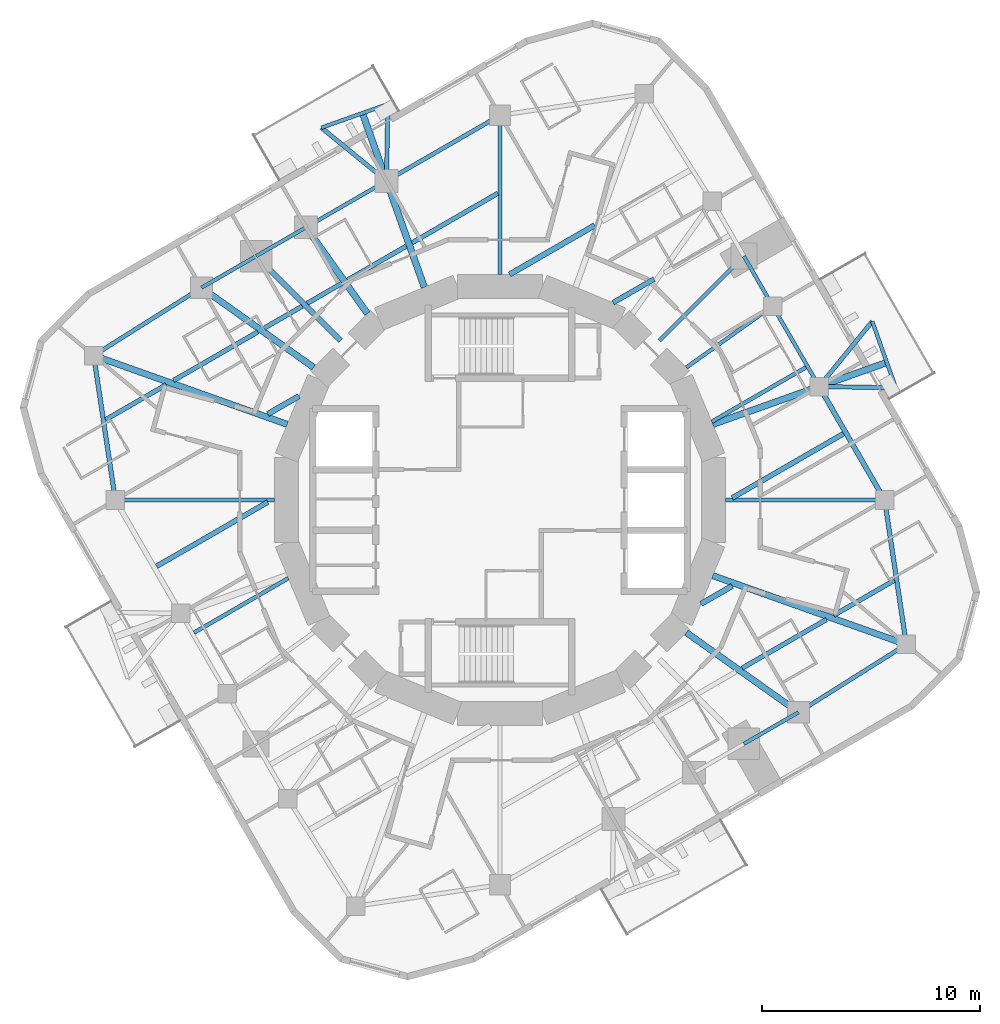
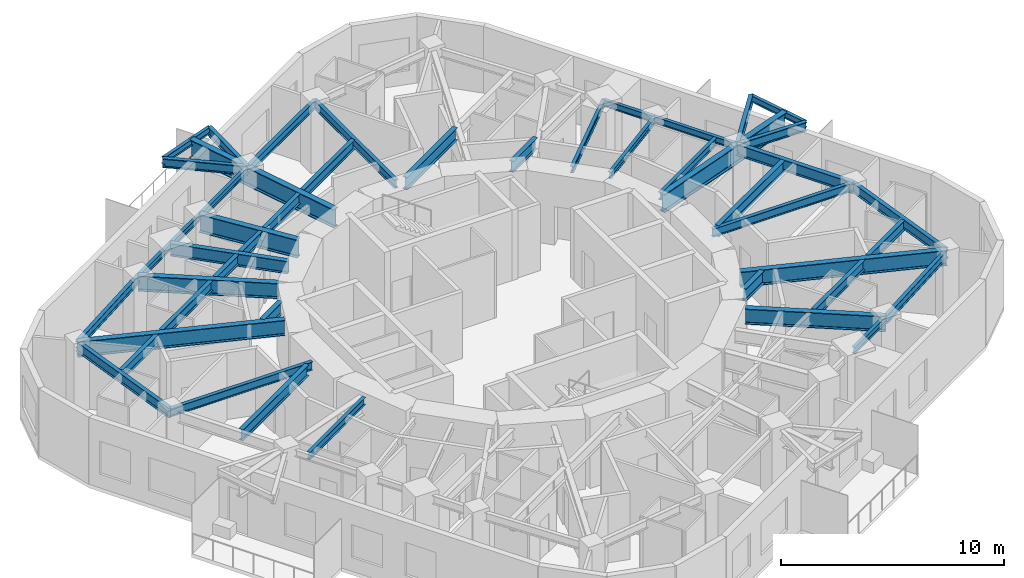
# One storey, part 2 of 11: 47 beams.
"""IFC4 building model written with IfcOpenShell, lengths in metres."""

from ifc_helpers import new_model, si_unit, direction, frame, origin, origin_2d, place, context, subcontext, project, spatial, i_section, extrude, material, material_profile, profile_set, type_object, element, save


model = new_model("IFC4")

# Units and contexts
model_context = context("Model", 3, precision=1e-05, world=origin(), true_north=direction((0.0, 1.0)))
body_context = subcontext(model_context, "Body", "Model", "MODEL_VIEW")
ifc_project = project(units=[si_unit("LENGTHUNIT", "METRE"), si_unit("AREAUNIT", "SQUARE_METRE"), si_unit("VOLUMEUNIT", "CUBIC_METRE"), si_unit("PLANEANGLEUNIT", "RADIAN"), si_unit("MASSUNIT", "GRAM", prefix="KILO")], contexts=[model_context])

# Site, building, storey
site_placement = place(None, origin())
site = spatial("IfcSite", under=ifc_project, at=site_placement, CompositionType="ELEMENT")
building_placement = place(site_placement, origin())
building = spatial("IfcBuilding", under=site, at=building_placement, Name="Nakasero Lantern House", CompositionType="ELEMENT")
storey_placement = place(building_placement, frame((0.0, 0.0, 238.5)))
storey = spatial("IfcBuildingStorey", under=building, at=storey_placement, Name="L58", CompositionType="ELEMENT", Elevation=238.5)

# Beams
ifc_material_1 = material(Name="Steel S355", Category="steel")
ifc_material_profile_1 = material_profile(ifc_material_1, i_section(OverallWidth=0.199462890625, OverallDepth=0.491943359375, WebThickness=0.01806640625, FlangeThickness=0.031982421875, FilletRadius=0.01025390625, at=origin_2d()), Name="UB 457x191x161")
ifc_profile_set_1 = profile_set([ifc_material_profile_1], Name="Steel S355")
beam_type_1 = type_object("IfcBeamType", Name="Balcony splay beam UB 457x191x161", PredefinedType="BEAM", material=ifc_profile_set_1)
beam_1_placement = place(storey_placement, frame((14.657958984375, 5.211669921875, 3.404052734375), z_axis=(0.632127727159, 0.774864205236, 0.0), x_axis=(-0.774864205236, 0.632127727159, 0.0)))
element("IfcBeam", 1, at=beam_1_placement, inside=storey, type_object=beam_type_1, Name="Balcony splay beam L59 B6-C04A", PredefinedType="BEAM", context=body_context, shape_type="SweptSolid", body=[
    extrude(i_section(OverallWidth=0.199462890625, OverallDepth=0.491943359375, WebThickness=0.01806640625, FlangeThickness=0.031982421875, FilletRadius=0.01025390625, at=origin_2d()), origin(), (0.0, 0.0, 1.0), 3.858642578125),
])
beam_2_placement = place(storey_placement, frame((14.657958984375, 5.211669921875, 3.404052734375), z_axis=(0.99985827803, -0.016835196893, 0.0), x_axis=(0.016835196893, 0.99985827803, 0.0)))
element("IfcBeam", 2, at=beam_2_placement, inside=storey, type_object=beam_type_1, Name="Balcony splay beam L59 B6-C04B", PredefinedType="BEAM", context=body_context, shape_type="SweptSolid", body=[
    extrude(i_section(OverallWidth=0.199462890625, OverallDepth=0.491943359375, WebThickness=0.01806640625, FlangeThickness=0.031982421875, FilletRadius=0.01025390625, at=origin_2d()), origin(), (0.0, 0.0, 1.0), 3.52392578125),
])
beam_3_placement = place(storey_placement, frame((-5.211669921875, 14.657958984375, 3.404052734375), z_axis=(-0.774864205236, 0.632127727159, 0.0), x_axis=(-0.632127727159, -0.774864205236, 0.0)))
element("IfcBeam", 3, at=beam_3_placement, inside=storey, type_object=beam_type_1, Name="Balcony splay beam L59 B6-C10A", PredefinedType="BEAM", context=body_context, shape_type="SweptSolid", body=[
    extrude(i_section(OverallWidth=0.199462890625, OverallDepth=0.491943359375, WebThickness=0.01806640625, FlangeThickness=0.031982421875, FilletRadius=0.01025390625, at=origin_2d()), origin(), (0.0, 0.0, 1.0), 3.858642578125),
])
beam_4_placement = place(storey_placement, frame((-5.211669921875, 14.657958984375, 3.404052734375), z_axis=(0.016835196893, 0.99985827803, 0.0), x_axis=(-0.99985827803, 0.016835196893, 0.0)))
element("IfcBeam", 4, at=beam_4_placement, inside=storey, type_object=beam_type_1, Name="Balcony splay beam L59 B6-C10B", PredefinedType="BEAM", context=body_context, shape_type="SweptSolid", body=[
    extrude(i_section(OverallWidth=0.199462890625, OverallDepth=0.491943359375, WebThickness=0.01806640625, FlangeThickness=0.031982421875, FilletRadius=0.01025390625, at=origin_2d()), origin(), (0.0, 0.0, 1.0), 3.52392578125),
])
ifc_material_2 = material(Name="Steel S355", Category="steel")
ifc_material_profile_2 = material_profile(ifc_material_2, i_section(OverallWidth=0.17138671875, OverallDepth=0.35498046875, WebThickness=0.00732421875, FlangeThickness=0.011474609375, FilletRadius=0.01025390625, at=origin_2d()), Name="UB 356x171x51")
ifc_profile_set_2 = profile_set([ifc_material_profile_2], Name="Steel S355")
beam_type_2 = type_object("IfcBeamType", Name="Balcony tie beam UB 356x171x51", PredefinedType="BEAM", material=ifc_profile_set_2)
for number, where, z_axis, x_axis, name in (
    (5, (17.09716796875, 8.20166015625, 3.472412109375), (0.335017108852, -0.942212044487, 0.0), (0.942212044487, 0.335017108852, 0.0), "Balcony tie beam L59 B6-C04"),
    (6, (-8.20166015625, 17.09716796875, 3.472412109375), (0.942212044487, 0.335017108852, 0.0), (-0.335017108852, 0.942212044487, 0.0), "Balcony tie beam L59 B6-C10"),
):
    element("IfcBeam", number, at=place(storey_placement, frame(where, z_axis=z_axis, x_axis=x_axis)), inside=storey, type_object=beam_type_2, Name=name, PredefinedType="BEAM", context=body_context, shape_type="SweptSolid", body=[
        extrude(i_section(OverallWidth=0.17138671875, OverallDepth=0.35498046875, WebThickness=0.00732421875, FlangeThickness=0.011474609375, FilletRadius=0.01025390625, at=origin_2d()), origin(), (0.0, 0.0, 1.0), 3.236328125),
    ])
ifc_material_3 = material(Name="Steel S355", Category="steel")
ifc_material_profile_3 = material_profile(ifc_material_3, i_section(OverallWidth=0.177978515625, OverallDepth=0.406494140625, WebThickness=0.0078125, FlangeThickness=0.0126953125, FilletRadius=0.01025390625, at=origin_2d()), Name="UB 406x178x60")
ifc_profile_set_3 = profile_set([ifc_material_profile_3], Name="Steel S355")
beam_type_3 = type_object("IfcBeamType", Name="Infill beam UB 406x178x60", PredefinedType="JOIST", material=ifc_profile_set_3)
for number, where, z_axis, x_axis, name in (
    (7, (9.72314453125, 3.5927734375, 3.44677734375), (0.866018808352, 0.500011423449, 0.0), (-0.500011423449, 0.866018808352, 0.0), "Infill beam L59 06.1"),
    (8, (-14.051025390625, -6.091552734375, 3.44677734375), (0.866018808352, 0.500011423449, 0.0), (-0.500011423449, 0.866018808352, 0.0), "Infill beam L59 07.1"),
):
    element("IfcBeam", number, at=place(storey_placement, frame(where, z_axis=z_axis, x_axis=x_axis)), inside=storey, type_object=beam_type_3, Name=name, PredefinedType="JOIST", context=body_context, shape_type="SweptSolid", body=[
        extrude(i_section(OverallWidth=0.177978515625, OverallDepth=0.406494140625, WebThickness=0.0078125, FlangeThickness=0.0126953125, FilletRadius=0.01025390625, at=origin_2d()), origin(), (0.0, 0.0, 1.0), 4.99755859375),
    ])
ifc_material_4 = material(Name="Steel S355", Category="steel")
ifc_material_profile_4 = material_profile(ifc_material_4, i_section(OverallWidth=0.2099609375, OverallDepth=0.53662109375, WebThickness=0.0107421875, FlangeThickness=0.017333984375, FilletRadius=0.0126953125, at=origin_2d()), Name="UB 533x210x101")
ifc_profile_set_4 = profile_set([ifc_material_profile_4], Name="Steel S355")
beam_type_4 = type_object("IfcBeamType", Name="Infill beam UB 533x210x101", PredefinedType="JOIST", material=ifc_profile_set_4)
beam_5_placement = place(storey_placement, frame((11.117431640625, -7.726318359375, 3.381591796875), z_axis=(0.866033989219, 0.499985129296, 0.0), x_axis=(-0.499985129296, 0.866033989219, 0.0)))
element("IfcBeam", 9, at=beam_5_placement, inside=storey, type_object=beam_type_4, Name="Infill beam L59 03.5", PredefinedType="JOIST", context=body_context, shape_type="SweptSolid", body=[
    extrude(i_section(OverallWidth=0.2099609375, OverallDepth=0.53662109375, WebThickness=0.0107421875, FlangeThickness=0.017333984375, FilletRadius=0.0126953125, at=origin_2d()), origin(), (0.0, 0.0, 1.0), 4.478759765625),
])
for number, where, z_axis, x_axis, name in (
    (10, (15.32861328125, -5.294921875, 3.381591796875), (0.866033858845, 0.49998535512, 0.0), (-0.49998535512, 0.866033858845, 0.0), "Infill beam L59 03.6"),
    (11, (-18.11328125, 3.687255859375, 3.381591796875), (0.866033858845, 0.49998535512, 0.0), (-0.49998535512, 0.866033858845, 0.0), "Infill beam L59 10.1"),
):
    element("IfcBeam", number, at=place(storey_placement, frame(where, z_axis=z_axis, x_axis=x_axis)), inside=storey, type_object=beam_type_4, Name=name, PredefinedType="JOIST", context=body_context, shape_type="SweptSolid", body=[
        extrude(i_section(OverallWidth=0.2099609375, OverallDepth=0.53662109375, WebThickness=0.0107421875, FlangeThickness=0.017333984375, FilletRadius=0.0126953125, at=origin_2d()), origin(), (0.0, 0.0, 1.0), 3.21533203125),
    ])
beam_6_placement = place(storey_placement, frame((-14.99609375, 5.487060546875, 3.381591796875), z_axis=(0.866033989219, 0.499985129296, 0.0), x_axis=(-0.499985129296, 0.866033989219, 0.0)))
element("IfcBeam", 12, at=beam_6_placement, inside=storey, type_object=beam_type_4, Name="Infill beam L59 10.2", PredefinedType="JOIST", context=body_context, shape_type="SweptSolid", body=[
    extrude(i_section(OverallWidth=0.2099609375, OverallDepth=0.53662109375, WebThickness=0.0107421875, FlangeThickness=0.017333984375, FilletRadius=0.0126953125, at=origin_2d()), origin(), (0.0, 0.0, 1.0), 4.478759765625),
])
beam_7_placement = place(storey_placement, frame((-10.839111328125, 7.88720703125, 3.381591796875), z_axis=(0.866073420066, 0.499916824138, 0.0), x_axis=(-0.499916824138, 0.866073420066, 0.0)))
element("IfcBeam", 13, at=beam_7_placement, inside=storey, type_object=beam_type_4, Name="Infill beam L59 10.3", PredefinedType="JOIST", context=body_context, shape_type="SweptSolid", body=[
    extrude(i_section(OverallWidth=0.2099609375, OverallDepth=0.53662109375, WebThickness=0.0107421875, FlangeThickness=0.017333984375, FilletRadius=0.0126953125, at=origin_2d()), origin(), (0.0, 0.0, 1.0), 2.029541015625),
])
beam_8_placement = place(storey_placement, frame((-8.85400390625, 9.033203125, 3.381591796875), z_axis=(0.866028611999, 0.499994443168, 0.0), x_axis=(-0.499994443168, 0.866028611999, 0.0)))
element("IfcBeam", 14, at=beam_8_placement, inside=storey, type_object=beam_type_4, Name="Infill beam L59 10.4", PredefinedType="JOIST", context=body_context, shape_type="SweptSolid", body=[
    extrude(i_section(OverallWidth=0.2099609375, OverallDepth=0.53662109375, WebThickness=0.0107421875, FlangeThickness=0.017333984375, FilletRadius=0.0126953125, at=origin_2d()), origin(), (0.0, 0.0, 1.0), 1.8388671875),
])
beam_9_placement = place(storey_placement, frame((-7.00048828125, 10.103271484375, 3.381591796875), z_axis=(0.866018346476, 0.500012223418, 0.0), x_axis=(-0.500012223418, 0.866018346476, 0.0)))
element("IfcBeam", 15, at=beam_9_placement, inside=storey, type_object=beam_type_4, Name="Infill beam L59 10.5", PredefinedType="JOIST", context=body_context, shape_type="SweptSolid", body=[
    extrude(i_section(OverallWidth=0.2099609375, OverallDepth=0.53662109375, WebThickness=0.0107421875, FlangeThickness=0.017333984375, FilletRadius=0.0126953125, at=origin_2d()), origin(), (0.0, 0.0, 1.0), 3.11181640625),
])
beam_10_placement = place(storey_placement, frame((-4.039794921875, 11.812744140625, 3.381591796875), z_axis=(0.866027576455, 0.499996236806, 0.0), x_axis=(-0.499996236806, 0.866027576455, 0.0)))
element("IfcBeam", 16, at=beam_10_placement, inside=storey, type_object=beam_type_4, Name="Infill beam L59 10.6", PredefinedType="JOIST", context=body_context, shape_type="SweptSolid", body=[
    extrude(i_section(OverallWidth=0.2099609375, OverallDepth=0.53662109375, WebThickness=0.0107421875, FlangeThickness=0.017333984375, FilletRadius=0.0126953125, at=origin_2d()), origin(), (0.0, 0.0, 1.0), 4.55419921875),
])
ifc_material_5 = material(Name="Steel S355", Category="steel")
ifc_material_profile_5 = material_profile(ifc_material_5, i_section(OverallWidth=0.22900390625, OverallDepth=0.6123046875, WebThickness=0.011962890625, FlangeThickness=0.01953125, FilletRadius=0.0126953125, at=origin_2d()), Name="UB 610x229x125")
ifc_profile_set_5 = profile_set([ifc_material_profile_5], Name="Steel S355")
beam_type_5 = type_object("IfcBeamType", Name="Infill beam UB 610x229x125", PredefinedType="JOIST", material=ifc_profile_set_5)
for number, where, z_axis, x_axis, name in (
    (17, (10.66455078125, 0.094970703125, 3.343994140625), (0.866025091885, 0.500000540226, 0.0), (-0.500000540226, 0.866025091885, 0.0), "Infill beam L59 05.3"),
    (18, (-15.776123046875, -3.046142578125, 3.343994140625), (0.866025091885, 0.500000540226, 0.0), (-0.500000540226, 0.866025091885, 0.0), "Infill beam L59 08.1"),
):
    element("IfcBeam", number, at=place(storey_placement, frame(where, z_axis=z_axis, x_axis=x_axis)), inside=storey, type_object=beam_type_5, Name=name, PredefinedType="JOIST", context=body_context, shape_type="SweptSolid", body=[
        extrude(i_section(OverallWidth=0.22900390625, OverallDepth=0.6123046875, WebThickness=0.011962890625, FlangeThickness=0.01953125, FilletRadius=0.0126953125, at=origin_2d()), origin(), (0.0, 0.0, 1.0), 5.90234375),
    ])
beam_11_placement = place(storey_placement, frame((5.19287109375, 9.060302734375, 3.343994140625), z_axis=(0.866043427695, 0.499968780372, 0.0), x_axis=(-0.499968780372, 0.866043427695, 0.0)))
element("IfcBeam", 19, at=beam_11_placement, inside=storey, type_object=beam_type_5, Name="Infill beam L59 08.2", PredefinedType="JOIST", context=body_context, shape_type="SweptSolid", body=[
    extrude(i_section(OverallWidth=0.22900390625, OverallDepth=0.6123046875, WebThickness=0.011962890625, FlangeThickness=0.01953125, FilletRadius=0.0126953125, at=origin_2d()), origin(), (0.0, 0.0, 1.0), 2.173583984375),
])
ifc_material_6 = material(Name="Steel S355", Category="steel")
ifc_material_profile_6 = material_profile(ifc_material_6, i_section(OverallWidth=0.253662109375, OverallDepth=0.68359375, WebThickness=0.012451171875, FlangeThickness=0.01904296875, FilletRadius=0.01513671875, at=origin_2d()), Name="UB 686x254x140")
ifc_profile_set_6 = profile_set([ifc_material_profile_6], Name="Steel S355")
beam_type_6 = type_object("IfcBeamType", Name="Infill beam UB 686x254x140", PredefinedType="JOIST", material=ifc_profile_set_6)
for number, where, z_axis, x_axis, name in (
    (20, (9.234619140625, -4.77197265625, 3.308349609375), (0.866050114754, 0.499957196903, 0.0), (-0.499957196903, 0.866050114754, 0.0), "Infill beam L59 04.3"),
    (21, (-10.6640625, 3.94677734375, 3.308349609375), (0.866050114754, 0.499957196903, 0.0), (-0.499957196903, 0.866050114754, 0.0), "Infill beam L59 09.1"),
):
    element("IfcBeam", number, at=place(storey_placement, frame(where, z_axis=z_axis, x_axis=x_axis)), inside=storey, type_object=beam_type_6, Name=name, PredefinedType="JOIST", context=body_context, shape_type="SweptSolid", body=[
        extrude(i_section(OverallWidth=0.253662109375, OverallDepth=0.68359375, WebThickness=0.012451171875, FlangeThickness=0.01904296875, FilletRadius=0.01513671875, at=origin_2d()), origin(), (0.0, 0.0, 1.0), 1.650634765625),
    ])
beam_12_placement = place(storey_placement, frame((0.4404296875, 10.35791015625, 3.308349609375), z_axis=(0.86603787505, 0.499978398512, 0.0), x_axis=(-0.499978398512, 0.86603787505, 0.0)))
element("IfcBeam", 22, at=beam_12_placement, inside=storey, type_object=beam_type_6, Name="Infill beam L59 09.2", PredefinedType="JOIST", context=body_context, shape_type="SweptSolid", body=[
    extrude(i_section(OverallWidth=0.253662109375, OverallDepth=0.68359375, WebThickness=0.012451171875, FlangeThickness=0.01904296875, FilletRadius=0.01513671875, at=origin_2d()), origin(), (0.0, 0.0, 1.0), 4.513916015625),
])
ifc_material_7 = material(Name="Steel S355", Category="steel")
ifc_material_profile_7 = material_profile(ifc_material_7, i_section(OverallWidth=0.300048828125, OverallDepth=0.989990234375, WebThickness=0.0166015625, FlangeThickness=0.031005859375, FilletRadius=0.030029296875, at=origin_2d()), Name="UB 1016x305x272")
ifc_profile_set_7 = profile_set([ifc_material_profile_7], Name="Steel S355")
beam_type_7 = type_object("IfcBeamType", Name="Primary beam UB 1016x305x272, span to 6 m", PredefinedType="BEAM", material=ifc_profile_set_7)
beam_13_placement = place(storey_placement, frame((-8.906494140625, 12.524658203125, 3.155029296875), z_axis=(0.579513415446, -0.814962699342, 0.0), x_axis=(0.814962699342, 0.579513415446, 0.0)))
element("IfcBeam", 23, at=beam_13_placement, inside=storey, type_object=beam_type_7, Name="Primary beam L59 B6-C11", PredefinedType="BEAM", context=body_context, shape_type="SweptSolid", body=[
    extrude(i_section(OverallWidth=0.300048828125, OverallDepth=0.989990234375, WebThickness=0.0166015625, FlangeThickness=0.031005859375, FilletRadius=0.030029296875, at=origin_2d()), origin(), (0.0, 0.0, 1.0), 4.8642578125),
])
ifc_material_8 = material(Name="Steel S355", Category="steel")
ifc_material_profile_8 = material_profile(ifc_material_8, i_section(OverallWidth=0.302001953125, OverallDepth=1.008056640625, WebThickness=0.02099609375, FlangeThickness=0.0400390625, FilletRadius=0.030029296875, at=origin_2d()), Name="UB 1016x305x349")
ifc_profile_set_8 = profile_set([ifc_material_profile_8], Name="Steel S355")
beam_type_8 = type_object("IfcBeamType", Name="Primary beam UB 1016x305x349, span to 6 m", PredefinedType="BEAM", material=ifc_profile_set_8)
for number, where, z_axis, x_axis, name in (
    (24, (17.767333984375, 6.317138671875, 3.14599609375), (-0.94222457875, -0.33498185503, 0.0), (0.33498185503, -0.94222457875, 0.0), "Primary beam L59 B6-C04"),
    (25, (-6.317138671875, 17.767333984375, 3.14599609375), (0.33498185503, -0.94222457875, 0.0), (0.94222457875, 0.33498185503, 0.0), "Primary beam L59 B6-C10"),
):
    element("IfcBeam", number, at=place(storey_placement, frame(where, z_axis=z_axis, x_axis=x_axis)), inside=storey, type_object=beam_type_8, Name=name, PredefinedType="BEAM", context=body_context, shape_type="SweptSolid", body=[
        extrude(i_section(OverallWidth=0.302001953125, OverallDepth=1.008056640625, WebThickness=0.02099609375, FlangeThickness=0.0400390625, FilletRadius=0.030029296875, at=origin_2d()), origin(), (0.0, 0.0, 1.0), 8.485595703125),
    ])
ifc_material_9 = material(Name="Steel S355", Category="steel")
ifc_material_profile_9 = material_profile(ifc_material_9, i_section(OverallWidth=0.17138671875, OverallDepth=0.35498046875, WebThickness=0.00732421875, FlangeThickness=0.011474609375, FilletRadius=0.01025390625, at=origin_2d()), Name="UB 356x171x51")
ifc_profile_set_9 = profile_set([ifc_material_profile_9], Name="Steel S355")
beam_type_9 = type_object("IfcBeamType", Name="Primary beam UB 356x171x51, span to 6 m", PredefinedType="BEAM", material=ifc_profile_set_9)
beam_14_placement = place(storey_placement, frame((12.524658203125, 8.906494140625, 3.472412109375), z_axis=(-0.814962699342, -0.579513415446, 0.0), x_axis=(0.579513415446, -0.814962699342, 0.0)))
element("IfcBeam", 26, at=beam_14_placement, inside=storey, type_object=beam_type_9, Name="Primary beam L59 B6-C05", PredefinedType="BEAM", context=body_context, shape_type="SweptSolid", body=[
    extrude(i_section(OverallWidth=0.17138671875, OverallDepth=0.35498046875, WebThickness=0.00732421875, FlangeThickness=0.011474609375, FilletRadius=0.01025390625, at=origin_2d()), origin(), (0.0, 0.0, 1.0), 4.8642578125),
])
beam_15_placement = place(storey_placement, frame((11.200439453125, 11.200439453125, 3.472412109375), z_axis=(-0.707106781187, -0.707106781187, 0.0), x_axis=(0.707106781187, -0.707106781187, 0.0)))
element("IfcBeam", 27, at=beam_15_placement, inside=storey, type_object=beam_type_9, Name="Primary beam L59 B6-C06", PredefinedType="BEAM", context=body_context, shape_type="SweptSolid", body=[
    extrude(i_section(OverallWidth=0.17138671875, OverallDepth=0.35498046875, WebThickness=0.00732421875, FlangeThickness=0.011474609375, FilletRadius=0.01025390625, at=origin_2d()), origin(), (0.0, 0.0, 1.0), 5.481689453125),
])
ifc_material_10 = material(Name="Steel S355", Category="steel")
ifc_material_profile_10 = material_profile(ifc_material_10, i_section(OverallWidth=0.18994140625, OverallDepth=0.453369140625, WebThickness=0.008544921875, FlangeThickness=0.0126953125, FilletRadius=0.01025390625, at=origin_2d()), Name="UB 457x191x67")
ifc_profile_set_10 = profile_set([ifc_material_profile_10], Name="Steel S355")
beam_type_10 = type_object("IfcBeamType", Name="Primary beam UB 457x191x67, span 6 to 9 m", PredefinedType="BEAM", material=ifc_profile_set_10)
for number, where, z_axis, x_axis, name in (
    (28, (17.6669921875, 0.0, 3.42333984375), (-1.0, 0.0, 0.0), (0.0, -1.0, 0.0), "Primary beam L59 B6-C03"),
    (29, (-17.6669921875, 0.0, 3.42333984375), (1.0, 0.0, 0.0), (0.0, 1.0, 0.0), "Primary beam L59 B6-C15"),
):
    element("IfcBeam", number, at=place(storey_placement, frame(where, z_axis=z_axis, x_axis=x_axis)), inside=storey, type_object=beam_type_10, Name=name, PredefinedType="BEAM", context=body_context, shape_type="SweptSolid", body=[
        extrude(i_section(OverallWidth=0.18994140625, OverallDepth=0.453369140625, WebThickness=0.008544921875, FlangeThickness=0.0126953125, FilletRadius=0.01025390625, at=origin_2d()), origin(), (0.0, 0.0, 1.0), 7.30908203125),
    ])
ifc_material_11 = material(Name="Steel S355", Category="steel")
ifc_material_profile_11 = material_profile(ifc_material_11, i_section(OverallWidth=0.19140625, OverallDepth=0.4599609375, WebThickness=0.010009765625, FlangeThickness=0.01611328125, FilletRadius=0.01025390625, at=origin_2d()), Name="UB 457x191x82")
ifc_profile_set_11 = profile_set([ifc_material_profile_11], Name="Steel S355")
beam_type_11 = type_object("IfcBeamType", Name="Primary beam UB 457x191x82, span 6 to 9 m", PredefinedType="BEAM", material=ifc_profile_set_11)
beam_16_placement = place(storey_placement, frame((0.0, 17.6669921875, 3.419921875), z_axis=(0.0, -1.0, 0.0), x_axis=(1.0, 0.0, 0.0)))
element("IfcBeam", 30, at=beam_16_placement, inside=storey, type_object=beam_type_11, Name="Primary beam L59 B6-C09", PredefinedType="BEAM", context=body_context, shape_type="SweptSolid", body=[
    extrude(i_section(OverallWidth=0.19140625, OverallDepth=0.4599609375, WebThickness=0.010009765625, FlangeThickness=0.01611328125, FilletRadius=0.01025390625, at=origin_2d()), origin(), (0.0, 0.0, 1.0), 7.30908203125),
])
ifc_material_12 = material(Name="Steel S355", Category="steel")
ifc_material_profile_12 = material_profile(ifc_material_12, i_section(OverallWidth=0.253662109375, OverallDepth=0.68359375, WebThickness=0.012451171875, FlangeThickness=0.01904296875, FilletRadius=0.01513671875, at=origin_2d()), Name="UB 686x254x140")
ifc_profile_set_12 = profile_set([ifc_material_profile_12], Name="Steel S355")
beam_type_12 = type_object("IfcBeamType", Name="Primary beam UB 686x254x140, span to 6 m", PredefinedType="BEAM", material=ifc_profile_set_12)
beam_17_placement = place(storey_placement, frame((-11.200439453125, 11.200439453125, 3.308349609375), z_axis=(0.707106781187, -0.707106781187, 0.0), x_axis=(0.707106781187, 0.707106781187, 0.0)))
element("IfcBeam", 31, at=beam_17_placement, inside=storey, type_object=beam_type_12, Name="Primary beam L59 B6-C12", PredefinedType="BEAM", context=body_context, shape_type="SweptSolid", body=[
    extrude(i_section(OverallWidth=0.253662109375, OverallDepth=0.68359375, WebThickness=0.012451171875, FlangeThickness=0.01904296875, FilletRadius=0.01513671875, at=origin_2d()), origin(), (0.0, 0.0, 1.0), 5.481689453125),
])
ifc_material_13 = material(Name="Steel S355", Category="steel")
ifc_material_profile_13 = material_profile(ifc_material_13, i_section(OverallWidth=0.29248046875, OverallDepth=0.8408203125, WebThickness=0.0146484375, FlangeThickness=0.02685546875, FilletRadius=0.017822265625, at=origin_2d()), Name="UB 838x292x194")
ifc_profile_set_13 = profile_set([ifc_material_profile_13], Name="Steel S355")
beam_type_13 = type_object("IfcBeamType", Name="Primary beam UB 838x292x194, span 6 to 9 m", PredefinedType="BEAM", material=ifc_profile_set_13)
for number, where, z_axis, x_axis, name in (
    (32, (13.711669921875, -9.75048828125, 3.229736328125), (-0.814968702178, 0.579504973637, 0.0), (-0.579504973637, -0.814968702178, 0.0), "Primary beam L59 B6-C01"),
    (33, (-13.711669921875, 9.75048828125, 3.229736328125), (0.814968702178, -0.579504973637, 0.0), (0.579504973637, 0.814968702178, 0.0), "Primary beam L59 B6-C13"),
):
    element("IfcBeam", number, at=place(storey_placement, frame(where, z_axis=z_axis, x_axis=x_axis)), inside=storey, type_object=beam_type_13, Name=name, PredefinedType="BEAM", context=body_context, shape_type="SweptSolid", body=[
        extrude(i_section(OverallWidth=0.29248046875, OverallDepth=0.8408203125, WebThickness=0.0146484375, FlangeThickness=0.02685546875, FilletRadius=0.017822265625, at=origin_2d()), origin(), (0.0, 0.0, 1.0), 6.320556640625),
    ])
ifc_material_14 = material(Name="Steel S355", Category="steel")
ifc_material_profile_14 = material_profile(ifc_material_14, i_section(OverallWidth=0.29248046875, OverallDepth=0.8408203125, WebThickness=0.0146484375, FlangeThickness=0.02685546875, FilletRadius=0.017822265625, at=origin_2d()), Name="UB 838x292x194")
ifc_profile_set_14 = profile_set([ifc_material_profile_14], Name="Steel S355")
beam_type_14 = type_object("IfcBeamType", Name="Primary beam UB 838x292x194, span 9 to 12 m", PredefinedType="BEAM", material=ifc_profile_set_14)
for number, where, z_axis, x_axis, name in (
    (34, (18.661376953125, -6.63525390625, 3.229736328125), (-0.942215779364, 0.335006604588, 0.0), (-0.335006604588, -0.942215779364, 0.0), "Primary beam L59 B6-C02"),
    (35, (-18.661376953125, 6.63525390625, 3.229736328125), (0.942215779364, -0.335006604588, 0.0), (0.335006604588, 0.942215779364, 0.0), "Primary beam L59 B6-C14"),
):
    element("IfcBeam", number, at=place(storey_placement, frame(where, z_axis=z_axis, x_axis=x_axis)), inside=storey, type_object=beam_type_14, Name=name, PredefinedType="BEAM", context=body_context, shape_type="SweptSolid", body=[
        extrude(i_section(OverallWidth=0.29248046875, OverallDepth=0.8408203125, WebThickness=0.0146484375, FlangeThickness=0.02685546875, FilletRadius=0.017822265625, at=origin_2d()), origin(), (0.0, 0.0, 1.0), 9.4345703125),
    ])
ifc_material_15 = material(Name="Steel S355", Category="steel")
ifc_material_profile_15 = material_profile(ifc_material_15, i_section(OverallWidth=0.17138671875, OverallDepth=0.35498046875, WebThickness=0.00732421875, FlangeThickness=0.011474609375, FilletRadius=0.01025390625, at=origin_2d()), Name="UB 356x171x51")
ifc_profile_set_15 = profile_set([ifc_material_profile_15], Name="Steel S355")
beam_type_15 = type_object("IfcBeamType", Name="Ring beam UB 356x171x51", PredefinedType="BEAM", material=ifc_profile_set_15)
beam_18_placement = place(storey_placement, frame((14.657958984375, 5.211669921875, 3.472412109375), z_axis=(-0.500016352561, 0.866015962423, 0.0), x_axis=(-0.866015962423, -0.500016352561, 0.0)))
element("IfcBeam", 36, at=beam_18_placement, inside=storey, type_object=beam_type_15, Name="Ring beam L59 B6-C04", PredefinedType="BEAM", context=body_context, shape_type="SweptSolid", body=[
    extrude(i_section(OverallWidth=0.17138671875, OverallDepth=0.35498046875, WebThickness=0.00732421875, FlangeThickness=0.011474609375, FilletRadius=0.01025390625, at=origin_2d()), origin(), (0.0, 0.0, 1.0), 4.266357421875),
])
beam_19_placement = place(storey_placement, frame((12.524658203125, 8.906494140625, 3.472412109375), z_axis=(-0.499945861543, 0.866056658381, 0.0), x_axis=(-0.866056658381, -0.499945861543, 0.0)))
element("IfcBeam", 37, at=beam_19_placement, inside=storey, type_object=beam_type_15, Name="Ring beam L59 B6-C05", PredefinedType="BEAM", context=body_context, shape_type="SweptSolid", body=[
    extrude(i_section(OverallWidth=0.17138671875, OverallDepth=0.35498046875, WebThickness=0.00732421875, FlangeThickness=0.011474609375, FilletRadius=0.01025390625, at=origin_2d()), origin(), (0.0, 0.0, 1.0), 2.648681640625),
])
beam_20_placement = place(storey_placement, frame((-5.211669921875, 14.657958984375, 3.472412109375), z_axis=(-0.866015962423, -0.500016352561, 0.0), x_axis=(0.500016352561, -0.866015962423, 0.0)))
element("IfcBeam", 38, at=beam_20_placement, inside=storey, type_object=beam_type_15, Name="Ring beam L59 B6-C10", PredefinedType="BEAM", context=body_context, shape_type="SweptSolid", body=[
    extrude(i_section(OverallWidth=0.17138671875, OverallDepth=0.35498046875, WebThickness=0.00732421875, FlangeThickness=0.011474609375, FilletRadius=0.01025390625, at=origin_2d()), origin(), (0.0, 0.0, 1.0), 4.266357421875),
])
beam_21_placement = place(storey_placement, frame((-8.906494140625, 12.524658203125, 3.472412109375), z_axis=(-0.866056658381, -0.499945861543, 0.0), x_axis=(0.499945861543, -0.866056658381, 0.0)))
element("IfcBeam", 39, at=beam_21_placement, inside=storey, type_object=beam_type_15, Name="Ring beam L59 B6-C11", PredefinedType="BEAM", context=body_context, shape_type="SweptSolid", body=[
    extrude(i_section(OverallWidth=0.17138671875, OverallDepth=0.35498046875, WebThickness=0.00732421875, FlangeThickness=0.011474609375, FilletRadius=0.01025390625, at=origin_2d()), origin(), (0.0, 0.0, 1.0), 2.648681640625),
])
for number, where, z_axis, x_axis, name in (
    (40, (-11.200439453125, 11.200439453125, 3.472412109375), (-0.866011727401, -0.500023687443, 0.0), (0.500023687443, -0.866011727401, 0.0), "Ring beam L59 B6-C12"),
    (41, (11.200439453125, -11.200439453125, 3.472412109375), (0.866011727401, 0.500023687443, 0.0), (-0.500023687443, 0.866011727401, 0.0), "Ring beam L59 B6-C24"),
):
    element("IfcBeam", number, at=place(storey_placement, frame(where, z_axis=z_axis, x_axis=x_axis)), inside=storey, type_object=beam_type_15, Name=name, PredefinedType="BEAM", context=body_context, shape_type="SweptSolid", body=[
        extrude(i_section(OverallWidth=0.17138671875, OverallDepth=0.35498046875, WebThickness=0.00732421875, FlangeThickness=0.011474609375, FilletRadius=0.01025390625, at=origin_2d()), origin(), (0.0, 0.0, 1.0), 2.899658203125),
    ])
ifc_material_16 = material(Name="Steel S355", Category="steel")
ifc_material_profile_16 = material_profile(ifc_material_16, i_section(OverallWidth=0.18994140625, OverallDepth=0.453369140625, WebThickness=0.008544921875, FlangeThickness=0.0126953125, FilletRadius=0.01025390625, at=origin_2d()), Name="UB 457x191x67")
ifc_profile_set_16 = profile_set([ifc_material_profile_16], Name="Steel S355")
beam_type_16 = type_object("IfcBeamType", Name="Ring beam UB 457x191x67", PredefinedType="BEAM", material=ifc_profile_set_16)
beam_22_placement = place(storey_placement, frame((13.711669921875, -9.75048828125, 3.42333984375), z_axis=(0.846329027393, 0.532660471024, 0.0), x_axis=(-0.532660471024, 0.846329027393, 0.0)))
element("IfcBeam", 42, at=beam_22_placement, inside=storey, type_object=beam_type_16, Name="Ring beam L59 B6-C01", PredefinedType="BEAM", context=body_context, shape_type="SweptSolid", body=[
    extrude(i_section(OverallWidth=0.18994140625, OverallDepth=0.453369140625, WebThickness=0.008544921875, FlangeThickness=0.0126953125, FilletRadius=0.01025390625, at=origin_2d()), origin(), (0.0, 0.0, 1.0), 5.848388671875),
])
beam_23_placement = place(storey_placement, frame((0.0, 17.6669921875, 3.42333984375), z_axis=(-0.866020066889, -0.50000924366, 0.0), x_axis=(0.50000924366, -0.866020066889, 0.0)))
element("IfcBeam", 43, at=beam_23_placement, inside=storey, type_object=beam_type_16, Name="Ring beam L59 B6-C09", PredefinedType="BEAM", context=body_context, shape_type="SweptSolid", body=[
    extrude(i_section(OverallWidth=0.18994140625, OverallDepth=0.453369140625, WebThickness=0.008544921875, FlangeThickness=0.0126953125, FilletRadius=0.01025390625, at=origin_2d()), origin(), (0.0, 0.0, 1.0), 6.01806640625),
])
beam_24_placement = place(storey_placement, frame((-13.711669921875, 9.75048828125, 3.42333984375), z_axis=(-0.846329027393, -0.532660471024, 0.0), x_axis=(0.532660471024, -0.846329027393, 0.0)))
element("IfcBeam", 44, at=beam_24_placement, inside=storey, type_object=beam_type_16, Name="Ring beam L59 B6-C13", PredefinedType="BEAM", context=body_context, shape_type="SweptSolid", body=[
    extrude(i_section(OverallWidth=0.18994140625, OverallDepth=0.453369140625, WebThickness=0.008544921875, FlangeThickness=0.0126953125, FilletRadius=0.01025390625, at=origin_2d()), origin(), (0.0, 0.0, 1.0), 5.848388671875),
])
ifc_material_17 = material(Name="Steel S355", Category="steel")
ifc_material_profile_17 = material_profile(ifc_material_17, i_section(OverallWidth=0.2099609375, OverallDepth=0.53662109375, WebThickness=0.0107421875, FlangeThickness=0.017333984375, FilletRadius=0.0126953125, at=origin_2d()), Name="UB 533x210x101")
ifc_profile_set_17 = profile_set([ifc_material_profile_17], Name="Steel S355")
beam_type_17 = type_object("IfcBeamType", Name="Ring beam UB 533x210x101", PredefinedType="BEAM", material=ifc_profile_set_17)
for number, where, z_axis, x_axis, name in (
    (45, (18.661376953125, -6.63525390625, 3.381591796875), (-0.148208778253, 0.988956095107, 0.0), (-0.988956095107, -0.148208778253, 0.0), "Ring beam L59 B6-C02"),
    (46, (-18.661376953125, 6.63525390625, 3.381591796875), (0.148208778253, -0.988956095107, 0.0), (0.988956095107, 0.148208778253, 0.0), "Ring beam L59 B6-C14"),
):
    element("IfcBeam", number, at=place(storey_placement, frame(where, z_axis=z_axis, x_axis=x_axis)), inside=storey, type_object=beam_type_17, Name=name, PredefinedType="BEAM", context=body_context, shape_type="SweptSolid", body=[
        extrude(i_section(OverallWidth=0.2099609375, OverallDepth=0.53662109375, WebThickness=0.0107421875, FlangeThickness=0.017333984375, FilletRadius=0.0126953125, at=origin_2d()), origin(), (0.0, 0.0, 1.0), 6.70947265625),
    ])
ifc_material_18 = material(Name="Steel S355", Category="steel")
ifc_material_profile_18 = material_profile(ifc_material_18, i_section(OverallWidth=0.22900390625, OverallDepth=0.6123046875, WebThickness=0.011962890625, FlangeThickness=0.01953125, FilletRadius=0.0126953125, at=origin_2d()), Name="UB 610x229x125")
ifc_profile_set_18 = profile_set([ifc_material_profile_18], Name="Steel S355")
beam_type_18 = type_object("IfcBeamType", Name="Ring beam UB 610x229x125", PredefinedType="BEAM", material=ifc_profile_set_18)
beam_25_placement = place(storey_placement, frame((17.6669921875, 0.0, 3.343994140625), z_axis=(-0.50000924366, 0.866020066889, 0.0), x_axis=(-0.866020066889, -0.50000924366, 0.0)))
element("IfcBeam", 47, at=beam_25_placement, inside=storey, type_object=beam_type_18, Name="Ring beam L59 B6-C03", PredefinedType="BEAM", context=body_context, shape_type="SweptSolid", body=[
    extrude(i_section(OverallWidth=0.22900390625, OverallDepth=0.6123046875, WebThickness=0.011962890625, FlangeThickness=0.01953125, FilletRadius=0.0126953125, at=origin_2d()), origin(), (0.0, 0.0, 1.0), 6.01806640625),
])

save(model, "model.ifc")
